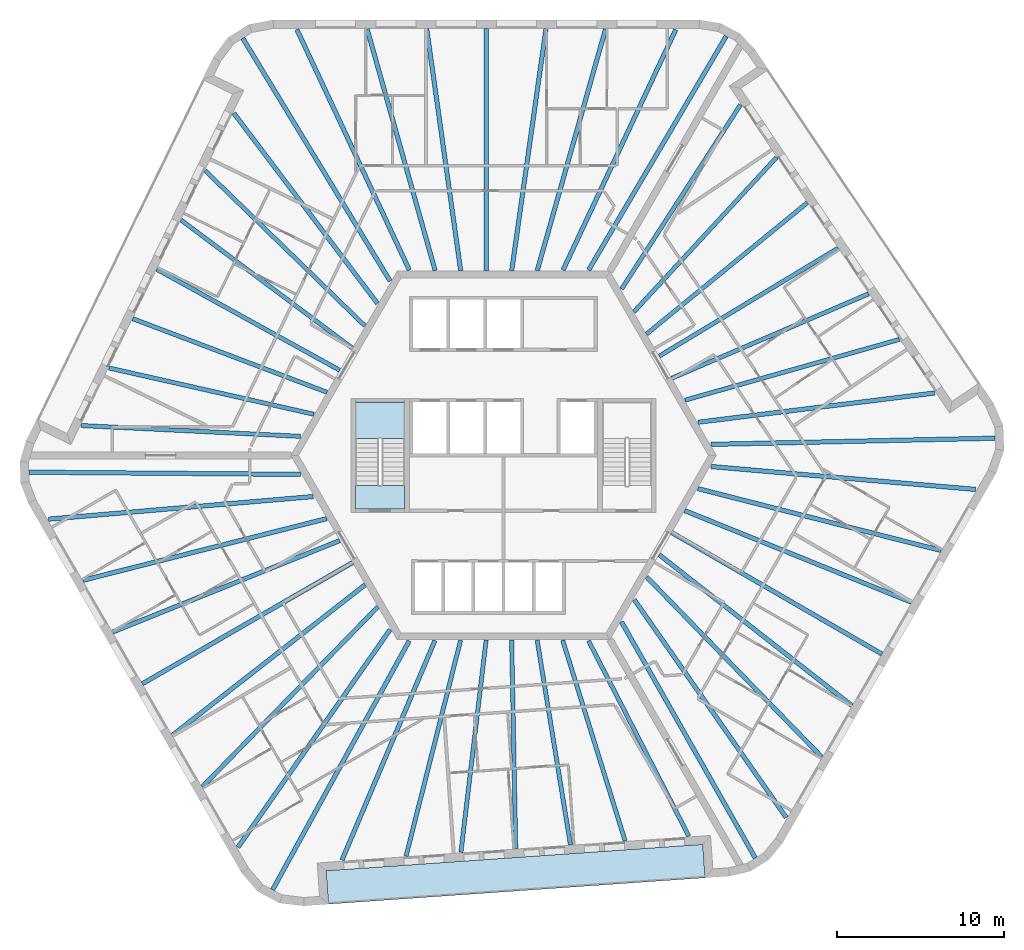
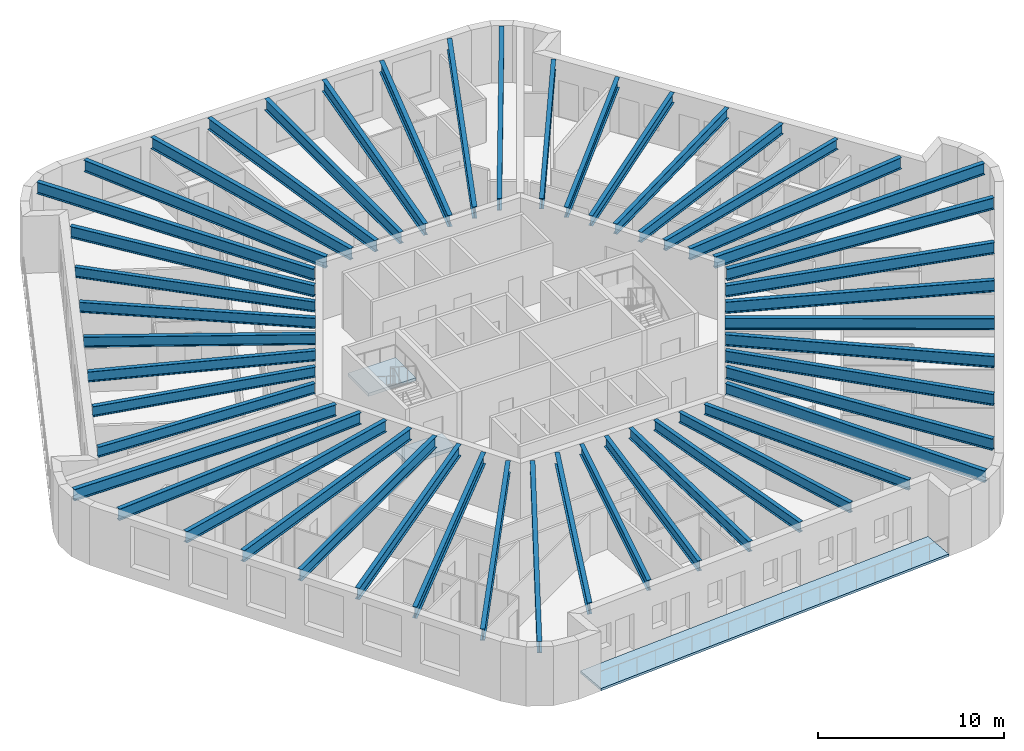
# One storey, part 1 of 12: 48 beams, 3 slabs, 1 element without a shape of its own.
"""IFC4 building model written with IfcOpenShell, lengths in metres."""

from ifc_helpers import new_model, si_unit, direction, frame, origin, origin_2d, place, context, subcontext, project, spatial, polyline, i_section, outline, extrude, material, layer, layer_set, material_profile, profile_set, type_object, element, aggregate, save


model = new_model("IFC4")

# Units and contexts
model_context = context("Model", 3, precision=1e-05, world=origin(), true_north=direction((0.0, 1.0)))
body_context = subcontext(model_context, "Body", "Model", "MODEL_VIEW")
ifc_project = project(units=[si_unit("LENGTHUNIT", "METRE"), si_unit("AREAUNIT", "SQUARE_METRE"), si_unit("VOLUMEUNIT", "CUBIC_METRE"), si_unit("PLANEANGLEUNIT", "RADIAN"), si_unit("MASSUNIT", "GRAM", prefix="KILO")], contexts=[model_context])

# Site, building, storey
site_placement = place(None, origin())
site = spatial("IfcSite", under=ifc_project, at=site_placement, CompositionType="ELEMENT")
building_placement = place(site_placement, origin())
building = spatial("IfcBuilding", under=site, at=building_placement, Name="Tarnside Tower", CompositionType="ELEMENT")
storey_placement = place(building_placement, frame((0.0, 0.0, 264.0)))
storey = spatial("IfcBuildingStorey", under=building, at=storey_placement, Name="L63", CompositionType="ELEMENT", Elevation=264.0)

# Beams
ifc_material_1 = material(Name="Steel S355", Category="steel")
ifc_material_profile_1 = material_profile(ifc_material_1, i_section(OverallWidth=0.2529296875, OverallDepth=0.677978515625, WebThickness=0.01171875, FlangeThickness=0.01611328125, FilletRadius=0.01513671875, at=origin_2d()), Name="UB 686x254x125")
ifc_profile_set_1 = profile_set([ifc_material_profile_1], Name="Steel S355")
beam_type_1 = type_object("IfcBeamType", Name="Floor beam UB 686x254x125", PredefinedType="BEAM", material=ifc_profile_set_1)
beam_1_placement = place(storey_placement, frame((-17.811279296875, 17.002197265625, 3.4111328125), z_axis=(0.717190986424, -0.696876666988, 0.0), x_axis=(0.696876666988, 0.717190986424, 0.0)))
element("IfcBeam", 1, at=beam_1_placement, inside=storey, type_object=beam_type_1, Name="Floor beam F2.02", PredefinedType="BEAM", context=body_context, shape_type="SweptSolid", body=[
    extrude(i_section(OverallWidth=0.2529296875, OverallDepth=0.677978515625, WebThickness=0.01171875, FlangeThickness=0.01611328125, FilletRadius=0.01513671875, at=origin_2d()), origin(), (0.0, 0.0, 1.0), 13.2919921875),
])
beam_2_placement = place(storey_placement, frame((-19.25, 14.0498046875, 3.4111328125), z_axis=(0.801006417676, -0.598655759883, 0.0), x_axis=(0.598655759883, 0.801006417676, 0.0)))
element("IfcBeam", 2, at=beam_2_placement, inside=storey, type_object=beam_type_1, Name="Floor beam F2.03", PredefinedType="BEAM", context=body_context, shape_type="SweptSolid", body=[
    extrude(i_section(OverallWidth=0.2529296875, OverallDepth=0.677978515625, WebThickness=0.01171875, FlangeThickness=0.01611328125, FilletRadius=0.01513671875, at=origin_2d()), origin(), (0.0, 0.0, 1.0), 12.764892578125),
])
beam_3_placement = place(storey_placement, frame((-20.70458984375, 11.111572265625, 3.4111328125), z_axis=(0.875666768762, -0.482915841619, 0.0), x_axis=(0.482915841619, 0.875666768762, 0.0)))
element("IfcBeam", 3, at=beam_3_placement, inside=storey, type_object=beam_type_1, Name="Floor beam F2.04", PredefinedType="BEAM", context=body_context, shape_type="SweptSolid", body=[
    extrude(i_section(OverallWidth=0.2529296875, OverallDepth=0.677978515625, WebThickness=0.01171875, FlangeThickness=0.01611328125, FilletRadius=0.01513671875, at=origin_2d()), origin(), (0.0, 0.0, 1.0), 12.468994140625),
])
beam_4_placement = place(storey_placement, frame((-22.141357421875, 8.165771484375, 3.4111328125), z_axis=(0.935116350489, -0.354340811998, 0.0), x_axis=(0.354340811998, 0.935116350489, 0.0)))
element("IfcBeam", 4, at=beam_4_placement, inside=storey, type_object=beam_type_1, Name="Floor beam F2.05", PredefinedType="BEAM", context=body_context, shape_type="SweptSolid", body=[
    extrude(i_section(OverallWidth=0.2529296875, OverallDepth=0.677978515625, WebThickness=0.01171875, FlangeThickness=0.01611328125, FilletRadius=0.01513671875, at=origin_2d()), origin(), (0.0, 0.0, 1.0), 12.399169921875),
])
beam_5_placement = place(storey_placement, frame((-23.556884765625, 5.2197265625, 3.4111328125), z_axis=(0.975445185376, -0.220242344534, 0.0), x_axis=(0.220242344534, 0.975445185376, 0.0)))
element("IfcBeam", 5, at=beam_5_placement, inside=storey, type_object=beam_type_1, Name="Floor beam F2.06", PredefinedType="BEAM", context=body_context, shape_type="SweptSolid", body=[
    extrude(i_section(OverallWidth=0.2529296875, OverallDepth=0.677978515625, WebThickness=0.01171875, FlangeThickness=0.01611328125, FilletRadius=0.01513671875, at=origin_2d()), origin(), (0.0, 0.0, 1.0), 12.538330078125),
])
beam_6_placement = place(storey_placement, frame((-25.214599609375, 1.7841796875, 3.4111328125), z_axis=(0.998783137237, -0.049317793651, 0.0), x_axis=(0.049317793651, 0.998783137237, 0.0)))
element("IfcBeam", 6, at=beam_6_placement, inside=storey, type_object=beam_type_1, Name="Floor beam F2.07", PredefinedType="BEAM", context=body_context, shape_type="SweptSolid", body=[
    extrude(i_section(OverallWidth=0.2529296875, OverallDepth=0.677978515625, WebThickness=0.01171875, FlangeThickness=0.01611328125, FilletRadius=0.01513671875, at=origin_2d()), origin(), (0.0, 0.0, 1.0), 13.103515625),
])
beam_7_placement = place(storey_placement, frame((-5.818603515625, -23.92626953125, 3.4111328125), z_axis=(0.244907502604, 0.969546448175, 0.0), x_axis=(-0.969546448175, 0.244907502604, 0.0)))
element("IfcBeam", 7, at=beam_7_placement, inside=storey, type_object=beam_type_1, Name="Floor beam F4.02", PredefinedType="BEAM", context=body_context, shape_type="SweptSolid", body=[
    extrude(i_section(OverallWidth=0.2529296875, OverallDepth=0.677978515625, WebThickness=0.01171875, FlangeThickness=0.01611328125, FilletRadius=0.01513671875, at=origin_2d()), origin(), (0.0, 0.0, 1.0), 13.292236328125),
])
beam_8_placement = place(storey_placement, frame((-2.54248046875, -23.69580078125, 3.4111328125), z_axis=(0.117949762105, 0.993019563563, 0.0), x_axis=(-0.993019563563, 0.117949762105, 0.0)))
element("IfcBeam", 8, at=beam_8_placement, inside=storey, type_object=beam_type_1, Name="Floor beam F4.03", PredefinedType="BEAM", context=body_context, shape_type="SweptSolid", body=[
    extrude(i_section(OverallWidth=0.2529296875, OverallDepth=0.677978515625, WebThickness=0.01171875, FlangeThickness=0.01611328125, FilletRadius=0.01513671875, at=origin_2d()), origin(), (0.0, 0.0, 1.0), 12.764892578125),
])
beam_9_placement = place(storey_placement, frame((0.7294921875, -23.486328125, 3.4111328125), z_axis=(-0.019619426101, 0.999807520536, 0.0), x_axis=(-0.999807520536, -0.019619426101, 0.0)))
element("IfcBeam", 9, at=beam_9_placement, inside=storey, type_object=beam_type_1, Name="Floor beam F4.04", PredefinedType="BEAM", context=body_context, shape_type="SweptSolid", body=[
    extrude(i_section(OverallWidth=0.2529296875, OverallDepth=0.677978515625, WebThickness=0.01171875, FlangeThickness=0.01611328125, FilletRadius=0.01513671875, at=origin_2d()), origin(), (0.0, 0.0, 1.0), 12.46875),
])
beam_10_placement = place(storey_placement, frame((3.9990234375, -23.2578125, 3.4111328125), z_axis=(-0.160690769029, 0.987004800773, 0.0), x_axis=(-0.987004800773, -0.160690769029, 0.0)))
element("IfcBeam", 10, at=beam_10_placement, inside=storey, type_object=beam_type_1, Name="Floor beam F4.05", PredefinedType="BEAM", context=body_context, shape_type="SweptSolid", body=[
    extrude(i_section(OverallWidth=0.2529296875, OverallDepth=0.677978515625, WebThickness=0.01171875, FlangeThickness=0.01611328125, FilletRadius=0.01513671875, at=origin_2d()), origin(), (0.0, 0.0, 1.0), 12.399169921875),
])
beam_11_placement = place(storey_placement, frame((7.258056640625, -23.0107421875, 3.4111328125), z_axis=(-0.296997512057, 0.954878252885, 0.0), x_axis=(-0.954878252885, -0.296997512057, 0.0)))
element("IfcBeam", 11, at=beam_11_placement, inside=storey, type_object=beam_type_1, Name="Floor beam F4.06", PredefinedType="BEAM", context=body_context, shape_type="SweptSolid", body=[
    extrude(i_section(OverallWidth=0.2529296875, OverallDepth=0.677978515625, WebThickness=0.01171875, FlangeThickness=0.01611328125, FilletRadius=0.01513671875, at=origin_2d()), origin(), (0.0, 0.0, 1.0), 12.538330078125),
])
beam_12_placement = place(storey_placement, frame((11.06201171875, -22.728515625, 3.4111328125), z_axis=(-0.456683143477, 0.889629420862, 0.0), x_axis=(-0.889629420862, -0.456683143477, 0.0)))
element("IfcBeam", 12, at=beam_12_placement, inside=storey, type_object=beam_type_1, Name="Floor beam F4.07", PredefinedType="BEAM", context=body_context, shape_type="SweptSolid", body=[
    extrude(i_section(OverallWidth=0.2529296875, OverallDepth=0.677978515625, WebThickness=0.01171875, FlangeThickness=0.01611328125, FilletRadius=0.01513671875, at=origin_2d()), origin(), (0.0, 0.0, 1.0), 13.103515625),
])
beam_13_placement = place(storey_placement, frame((23.6298828125, 6.924072265625, 3.4111328125), z_axis=(-0.962104001021, -0.272682766636, 0.0), x_axis=(0.272682766636, -0.962104001021, 0.0)))
element("IfcBeam", 13, at=beam_13_placement, inside=storey, type_object=beam_type_1, Name="Floor beam F6.02", PredefinedType="BEAM", context=body_context, shape_type="SweptSolid", body=[
    extrude(i_section(OverallWidth=0.2529296875, OverallDepth=0.677978515625, WebThickness=0.01171875, FlangeThickness=0.01611328125, FilletRadius=0.01513671875, at=origin_2d()), origin(), (0.0, 0.0, 1.0), 13.2919921875),
])
beam_14_placement = place(storey_placement, frame((21.792236328125, 9.64599609375, 3.4111328125), z_axis=(-0.918954980534, -0.394362452258, 0.0), x_axis=(0.394362452258, -0.918954980534, 0.0)))
element("IfcBeam", 14, at=beam_14_placement, inside=storey, type_object=beam_type_1, Name="Floor beam F6.03", PredefinedType="BEAM", context=body_context, shape_type="SweptSolid", body=[
    extrude(i_section(OverallWidth=0.2529296875, OverallDepth=0.677978515625, WebThickness=0.01171875, FlangeThickness=0.01611328125, FilletRadius=0.01513671875, at=origin_2d()), origin(), (0.0, 0.0, 1.0), 12.7646484375),
])
beam_15_placement = place(storey_placement, frame((19.97509765625, 12.375, 3.4111328125), z_axis=(-0.856046953876, -0.516898068055, 0.0), x_axis=(0.516898068055, -0.856046953876, 0.0)))
element("IfcBeam", 15, at=beam_15_placement, inside=storey, type_object=beam_type_1, Name="Floor beam F6.04", PredefinedType="BEAM", context=body_context, shape_type="SweptSolid", body=[
    extrude(i_section(OverallWidth=0.2529296875, OverallDepth=0.677978515625, WebThickness=0.01171875, FlangeThickness=0.01611328125, FilletRadius=0.01513671875, at=origin_2d()), origin(), (0.0, 0.0, 1.0), 12.46875),
])
beam_16_placement = place(storey_placement, frame((18.142333984375, 15.092041015625, 3.4111328125), z_axis=(-0.774438707576, -0.632648945473, 0.0), x_axis=(0.632648945473, -0.774438707576, 0.0)))
element("IfcBeam", 16, at=beam_16_placement, inside=storey, type_object=beam_type_1, Name="Floor beam F6.05", PredefinedType="BEAM", context=body_context, shape_type="SweptSolid", body=[
    extrude(i_section(OverallWidth=0.2529296875, OverallDepth=0.677978515625, WebThickness=0.01171875, FlangeThickness=0.01611328125, FilletRadius=0.01513671875, at=origin_2d()), origin(), (0.0, 0.0, 1.0), 12.39892578125),
])
beam_17_placement = place(storey_placement, frame((16.299072265625, 17.791015625, 3.4111328125), z_axis=(-0.67846123451, -0.734636204708, 0.0), x_axis=(0.734636204708, -0.67846123451, 0.0)))
element("IfcBeam", 17, at=beam_17_placement, inside=storey, type_object=beam_type_1, Name="Floor beam F6.06", PredefinedType="BEAM", context=body_context, shape_type="SweptSolid", body=[
    extrude(i_section(OverallWidth=0.2529296875, OverallDepth=0.677978515625, WebThickness=0.01171875, FlangeThickness=0.01611328125, FilletRadius=0.01513671875, at=origin_2d()), origin(), (0.0, 0.0, 1.0), 12.538330078125),
])
beam_18_placement = place(storey_placement, frame((14.152587890625, 20.9443359375, 3.4111328125), z_axis=(-0.54209970956, -0.840314170352, 0.0), x_axis=(0.840314170352, -0.54209970956, 0.0)))
element("IfcBeam", 18, at=beam_18_placement, inside=storey, type_object=beam_type_1, Name="Floor beam F6.07", PredefinedType="BEAM", context=body_context, shape_type="SweptSolid", body=[
    extrude(i_section(OverallWidth=0.2529296875, OverallDepth=0.677978515625, WebThickness=0.01171875, FlangeThickness=0.01611328125, FilletRadius=0.01513671875, at=origin_2d()), origin(), (0.0, 0.0, 1.0), 13.103759765625),
])
ifc_material_profile_2 = material_profile(ifc_material_1, i_section(OverallWidth=0.26513671875, OverallDepth=0.75390625, WebThickness=0.0126953125, FlangeThickness=0.017578125, FilletRadius=0.0166015625, at=origin_2d()), Name="UB 762x267x147")
ifc_profile_set_2 = profile_set([ifc_material_profile_2], Name="Steel S355")
beam_type_2 = type_object("IfcBeamType", Name="Floor beam UB 762x267x147", PredefinedType="BEAM", material=ifc_profile_set_2)
beam_19_placement = place(storey_placement, frame((6.093505859375, 25.46142578125, 3.373046875), z_axis=(-0.272147186115, -0.962255636039, 0.0), x_axis=(0.962255636039, -0.272147186115, 0.0)))
element("IfcBeam", 19, at=beam_19_placement, inside=storey, type_object=beam_type_2, Name="Floor beam F1.02", PredefinedType="BEAM", context=body_context, shape_type="SweptSolid", body=[
    extrude(i_section(OverallWidth=0.26513671875, OverallDepth=0.75390625, WebThickness=0.0126953125, FlangeThickness=0.017578125, FilletRadius=0.0166015625, at=origin_2d()), origin(), (0.0, 0.0, 1.0), 14.988525390625),
])
beam_20_placement = place(storey_placement, frame((2.537109375, 25.480224609375, 3.373046875), z_axis=(-0.140349428967, -0.990102034029, 0.0), x_axis=(0.990102034029, -0.140349428967, 0.0)))
element("IfcBeam", 20, at=beam_20_placement, inside=storey, type_object=beam_type_2, Name="Floor beam F1.03", PredefinedType="BEAM", context=body_context, shape_type="SweptSolid", body=[
    extrude(i_section(OverallWidth=0.26513671875, OverallDepth=0.75390625, WebThickness=0.0126953125, FlangeThickness=0.017578125, FilletRadius=0.0166015625, at=origin_2d()), origin(), (0.0, 0.0, 1.0), 14.60498046875),
])
beam_21_placement = place(storey_placement, frame((-1.02490234375, 25.5, 3.373046875), z_axis=(-0.000656653953, -0.999999784403, 0.0), x_axis=(0.999999784403, -0.000656653953, 0.0)))
element("IfcBeam", 21, at=beam_21_placement, inside=storey, type_object=beam_type_2, Name="Floor beam F1.04", PredefinedType="BEAM", context=body_context, shape_type="SweptSolid", body=[
    extrude(i_section(OverallWidth=0.26513671875, OverallDepth=0.75390625, WebThickness=0.0126953125, FlangeThickness=0.017578125, FilletRadius=0.0166015625, at=origin_2d()), origin(), (0.0, 0.0, 1.0), 14.5),
])
beam_22_placement = place(storey_placement, frame((-4.5869140625, 25.480224609375, 3.373046875), z_axis=(0.139070897001, -0.990282427193, 0.0), x_axis=(0.990282427193, 0.139070897001, 0.0)))
element("IfcBeam", 22, at=beam_22_placement, inside=storey, type_object=beam_type_2, Name="Floor beam F1.05", PredefinedType="BEAM", context=body_context, shape_type="SweptSolid", body=[
    extrude(i_section(OverallWidth=0.26513671875, OverallDepth=0.75390625, WebThickness=0.0126953125, FlangeThickness=0.017578125, FilletRadius=0.0166015625, at=origin_2d()), origin(), (0.0, 0.0, 1.0), 14.602294921875),
])
beam_23_placement = place(storey_placement, frame((-8.1435546875, 25.46142578125, 3.373046875), z_axis=(0.270985274434, -0.962583493023, 0.0), x_axis=(0.962583493023, 0.270985274434, 0.0)))
element("IfcBeam", 23, at=beam_23_placement, inside=storey, type_object=beam_type_2, Name="Floor beam F1.06", PredefinedType="BEAM", context=body_context, shape_type="SweptSolid", body=[
    extrude(i_section(OverallWidth=0.26513671875, OverallDepth=0.75390625, WebThickness=0.0126953125, FlangeThickness=0.017578125, FilletRadius=0.0166015625, at=origin_2d()), origin(), (0.0, 0.0, 1.0), 14.9833984375),
])
beam_24_placement = place(storey_placement, frame((-16.101318359375, 20.43212890625, 3.373046875), z_axis=(0.602566097863, -0.798068980543, 0.0), x_axis=(0.798068980543, 0.602566097863, 0.0)))
element("IfcBeam", 24, at=beam_24_placement, inside=storey, type_object=beam_type_2, Name="Floor beam F2.01", PredefinedType="BEAM", context=body_context, shape_type="SweptSolid", body=[
    extrude(i_section(OverallWidth=0.26513671875, OverallDepth=0.75390625, WebThickness=0.0126953125, FlangeThickness=0.017578125, FilletRadius=0.0166015625, at=origin_2d()), origin(), (0.0, 0.0, 1.0), 14.231201171875),
])
beam_25_placement = place(storey_placement, frame((-25.09716796875, -7.45361328125, 3.373046875), z_axis=(0.969413823687, 0.245431942592, 0.0), x_axis=(-0.245431942592, 0.969413823687, 0.0)))
element("IfcBeam", 25, at=beam_25_placement, inside=storey, type_object=beam_type_2, Name="Floor beam F3.02", PredefinedType="BEAM", context=body_context, shape_type="SweptSolid", body=[
    extrude(i_section(OverallWidth=0.26513671875, OverallDepth=0.75390625, WebThickness=0.0126953125, FlangeThickness=0.017578125, FilletRadius=0.0166015625, at=origin_2d()), origin(), (0.0, 0.0, 1.0), 14.98876953125),
])
beam_26_placement = place(storey_placement, frame((-23.3349609375, -10.54296875, 3.373046875), z_axis=(0.927625766949, 0.373510958998, 0.0), x_axis=(-0.373510958998, 0.927625766949, 0.0)))
element("IfcBeam", 26, at=beam_26_placement, inside=storey, type_object=beam_type_2, Name="Floor beam F3.03", PredefinedType="BEAM", context=body_context, shape_type="SweptSolid", body=[
    extrude(i_section(OverallWidth=0.26513671875, OverallDepth=0.75390625, WebThickness=0.0126953125, FlangeThickness=0.017578125, FilletRadius=0.0166015625, at=origin_2d()), origin(), (0.0, 0.0, 1.0), 14.60498046875),
])
beam_27_placement = place(storey_placement, frame((-21.5712890625, -13.6376953125, 3.373046875), z_axis=(0.866357363831, 0.499424587036, 0.0), x_axis=(-0.499424587036, 0.866357363831, 0.0)))
element("IfcBeam", 27, at=beam_27_placement, inside=storey, type_object=beam_type_2, Name="Floor beam F3.04", PredefinedType="BEAM", context=body_context, shape_type="SweptSolid", body=[
    extrude(i_section(OverallWidth=0.26513671875, OverallDepth=0.75390625, WebThickness=0.0126953125, FlangeThickness=0.017578125, FilletRadius=0.0166015625, at=origin_2d()), origin(), (0.0, 0.0, 1.0), 14.5),
])
beam_28_placement = place(storey_placement, frame((-19.77294921875, -16.71240234375, 3.373046875), z_axis=(0.788074813552, 0.615579473541, 0.0), x_axis=(-0.615579473541, 0.788074813552, 0.0)))
element("IfcBeam", 28, at=beam_28_placement, inside=storey, type_object=beam_type_2, Name="Floor beam F3.05", PredefinedType="BEAM", context=body_context, shape_type="SweptSolid", body=[
    extrude(i_section(OverallWidth=0.26513671875, OverallDepth=0.75390625, WebThickness=0.0126953125, FlangeThickness=0.017578125, FilletRadius=0.0166015625, at=origin_2d()), origin(), (0.0, 0.0, 1.0), 14.60205078125),
])
beam_29_placement = place(storey_placement, frame((-17.978515625, -19.783203125, 3.373046875), z_axis=(0.698129580508, 0.71597143017, 0.0), x_axis=(-0.71597143017, 0.698129580508, 0.0)))
element("IfcBeam", 29, at=beam_29_placement, inside=storey, type_object=beam_type_2, Name="Floor beam F3.06", PredefinedType="BEAM", context=body_context, shape_type="SweptSolid", body=[
    extrude(i_section(OverallWidth=0.26513671875, OverallDepth=0.75390625, WebThickness=0.0126953125, FlangeThickness=0.017578125, FilletRadius=0.0166015625, at=origin_2d()), origin(), (0.0, 0.0, 1.0), 14.983642578125),
])
beam_30_placement = place(storey_placement, frame((-9.64404296875, -24.160400390625, 3.373046875), z_axis=(0.389873911801, 0.920868249478, 0.0), x_axis=(-0.920868249478, 0.389873911801, 0.0)))
element("IfcBeam", 30, at=beam_30_placement, inside=storey, type_object=beam_type_2, Name="Floor beam F4.01", PredefinedType="BEAM", context=body_context, shape_type="SweptSolid", body=[
    extrude(i_section(OverallWidth=0.26513671875, OverallDepth=0.75390625, WebThickness=0.0126953125, FlangeThickness=0.017578125, FilletRadius=0.0166015625, at=origin_2d()), origin(), (0.0, 0.0, 1.0), 14.231201171875),
])
beam_31_placement = place(storey_placement, frame((19.00341796875, -18.008056640625, 3.373046875), z_axis=(-0.697249797022, 0.716828236437, 0.0), x_axis=(-0.716828236437, -0.697249797022, 0.0)))
element("IfcBeam", 31, at=beam_31_placement, inside=storey, type_object=beam_type_2, Name="Floor beam F5.02", PredefinedType="BEAM", context=body_context, shape_type="SweptSolid", body=[
    extrude(i_section(OverallWidth=0.26513671875, OverallDepth=0.75390625, WebThickness=0.0126953125, FlangeThickness=0.017578125, FilletRadius=0.0166015625, at=origin_2d()), origin(), (0.0, 0.0, 1.0), 14.98876953125),
])
beam_32_placement = place(storey_placement, frame((20.798095703125, -14.937255859375, 3.373046875), z_axis=(-0.787282014804, 0.616593082321, 0.0), x_axis=(-0.616593082321, -0.787282014804, 0.0)))
element("IfcBeam", 32, at=beam_32_placement, inside=storey, type_object=beam_type_2, Name="Floor beam F5.03", PredefinedType="BEAM", context=body_context, shape_type="SweptSolid", body=[
    extrude(i_section(OverallWidth=0.26513671875, OverallDepth=0.75390625, WebThickness=0.0126953125, FlangeThickness=0.017578125, FilletRadius=0.0166015625, at=origin_2d()), origin(), (0.0, 0.0, 1.0), 14.60498046875),
])
beam_33_placement = place(storey_placement, frame((22.59619140625, -11.8623046875, 3.373046875), z_axis=(-0.865697438889, 0.500567622106, 0.0), x_axis=(-0.500567622106, -0.865697438889, 0.0)))
element("IfcBeam", 33, at=beam_33_placement, inside=storey, type_object=beam_type_2, Name="Floor beam F5.04", PredefinedType="BEAM", context=body_context, shape_type="SweptSolid", body=[
    extrude(i_section(OverallWidth=0.26513671875, OverallDepth=0.75390625, WebThickness=0.0126953125, FlangeThickness=0.017578125, FilletRadius=0.0166015625, at=origin_2d()), origin(), (0.0, 0.0, 1.0), 14.500244140625),
])
beam_34_placement = place(storey_placement, frame((24.35986328125, -8.767578125, 3.373046875), z_axis=(-0.927145907531, 0.374700501933, 0.0), x_axis=(-0.374700501933, -0.927145907531, 0.0)))
element("IfcBeam", 34, at=beam_34_placement, inside=storey, type_object=beam_type_2, Name="Floor beam F5.05", PredefinedType="BEAM", context=body_context, shape_type="SweptSolid", body=[
    extrude(i_section(OverallWidth=0.26513671875, OverallDepth=0.75390625, WebThickness=0.0126953125, FlangeThickness=0.017578125, FilletRadius=0.0166015625, at=origin_2d()), origin(), (0.0, 0.0, 1.0), 14.60205078125),
])
beam_35_placement = place(storey_placement, frame((26.1220703125, -5.67822265625, 3.373046875), z_axis=(-0.969115089144, 0.246608888716, 0.0), x_axis=(-0.246608888716, -0.969115089144, 0.0)))
element("IfcBeam", 35, at=beam_35_placement, inside=storey, type_object=beam_type_2, Name="Floor beam F5.06", PredefinedType="BEAM", context=body_context, shape_type="SweptSolid", body=[
    extrude(i_section(OverallWidth=0.26513671875, OverallDepth=0.75390625, WebThickness=0.0126953125, FlangeThickness=0.017578125, FilletRadius=0.0166015625, at=origin_2d()), origin(), (0.0, 0.0, 1.0), 14.9833984375),
])
beam_36_placement = place(storey_placement, frame((25.745361328125, 3.72802734375, 3.373046875), z_axis=(-0.992433598491, -0.122782541866, 0.0), x_axis=(0.122782541866, -0.992433598491, 0.0)))
element("IfcBeam", 36, at=beam_36_placement, inside=storey, type_object=beam_type_2, Name="Floor beam F6.01", PredefinedType="BEAM", context=body_context, shape_type="SweptSolid", body=[
    extrude(i_section(OverallWidth=0.26513671875, OverallDepth=0.75390625, WebThickness=0.0126953125, FlangeThickness=0.017578125, FilletRadius=0.0166015625, at=origin_2d()), origin(), (0.0, 0.0, 1.0), 14.23095703125),
])
ifc_material_profile_3 = material_profile(ifc_material_1, i_section(OverallWidth=0.2666015625, OverallDepth=0.76220703125, WebThickness=0.014404296875, FlangeThickness=0.021484375, FilletRadius=0.0166015625, at=origin_2d()), Name="UB 762x267x173")
ifc_profile_set_3 = profile_set([ifc_material_profile_3], Name="Steel S355")
beam_type_3 = type_object("IfcBeamType", Name="Floor beam UB 762x267x173", PredefinedType="BEAM", material=ifc_profile_set_3)
beam_37_placement = place(storey_placement, frame((10.285400390625, 25.427490234375, 3.368896484375), z_axis=(-0.424439399801, -0.905456346765, 0.0), x_axis=(0.905456346765, -0.424439399801, 0.0)))
element("IfcBeam", 37, at=beam_37_placement, inside=storey, type_object=beam_type_3, Name="Floor beam F1.01", PredefinedType="BEAM", context=body_context, shape_type="SweptSolid", body=[
    extrude(i_section(OverallWidth=0.2666015625, OverallDepth=0.76220703125, WebThickness=0.014404296875, FlangeThickness=0.021484375, FilletRadius=0.0166015625, at=origin_2d()), origin(), (0.0, 0.0, 1.0), 15.853759765625),
])
beam_38_placement = place(storey_placement, frame((-12.335205078125, 25.427490234375, 3.368896484375), z_axis=(0.423453877267, -0.905917663934, 0.0), x_axis=(0.905917663934, 0.423453877267, 0.0)))
element("IfcBeam", 38, at=beam_38_placement, inside=storey, type_object=beam_type_3, Name="Floor beam F1.07", PredefinedType="BEAM", context=body_context, shape_type="SweptSolid", body=[
    extrude(i_section(OverallWidth=0.2666015625, OverallDepth=0.76220703125, WebThickness=0.014404296875, FlangeThickness=0.021484375, FilletRadius=0.0166015625, at=origin_2d()), origin(), (0.0, 0.0, 1.0), 15.845703125),
])
beam_39_placement = place(storey_placement, frame((-15.5703125, 24.91162109375, 3.368896484375), z_axis=(0.518716683755, -0.854946198304, 0.0), x_axis=(0.854946198304, 0.518716683755, 0.0)))
element("IfcBeam", 39, at=beam_39_placement, inside=storey, type_object=beam_type_3, Name="Floor beam C1", PredefinedType="BEAM", context=body_context, shape_type="SweptSolid", body=[
    extrude(i_section(OverallWidth=0.2666015625, OverallDepth=0.76220703125, WebThickness=0.014404296875, FlangeThickness=0.021484375, FilletRadius=0.0166015625, at=origin_2d()), origin(), (0.0, 0.0, 1.0), 16.961181640625),
])
beam_40_placement = place(storey_placement, frame((-28.3291015625, -1.0009765625, 3.368896484375), z_axis=(0.999966651082, -0.008166806173, 0.0), x_axis=(0.008166806173, 0.999966651082, 0.0)))
element("IfcBeam", 40, at=beam_40_placement, inside=storey, type_object=beam_type_3, Name="Floor beam C2", PredefinedType="BEAM", context=body_context, shape_type="SweptSolid", body=[
    extrude(i_section(OverallWidth=0.2666015625, OverallDepth=0.76220703125, WebThickness=0.014404296875, FlangeThickness=0.021484375, FilletRadius=0.0166015625, at=origin_2d()), origin(), (0.0, 0.0, 1.0), 16.20263671875),
])
beam_41_placement = place(storey_placement, frame((-27.16357421875, -3.806396484375, 3.368896484375), z_axis=(0.996367434748, 0.085158293626, 0.0), x_axis=(-0.085158293626, 0.996367434748, 0.0)))
element("IfcBeam", 41, at=beam_41_placement, inside=storey, type_object=beam_type_3, Name="Floor beam F3.01", PredefinedType="BEAM", context=body_context, shape_type="SweptSolid", body=[
    extrude(i_section(OverallWidth=0.2666015625, OverallDepth=0.76220703125, WebThickness=0.014404296875, FlangeThickness=0.021484375, FilletRadius=0.0166015625, at=origin_2d()), origin(), (0.0, 0.0, 1.0), 15.85400390625),
])
beam_42_placement = place(storey_placement, frame((-15.853271484375, -23.396484375, 3.368896484375), z_axis=(0.572816933654, 0.819683329414, 0.0), x_axis=(-0.819683329414, 0.572816933654, 0.0)))
element("IfcBeam", 42, at=beam_42_placement, inside=storey, type_object=beam_type_3, Name="Floor beam F3.07", PredefinedType="BEAM", context=body_context, shape_type="SweptSolid", body=[
    extrude(i_section(OverallWidth=0.2666015625, OverallDepth=0.76220703125, WebThickness=0.014404296875, FlangeThickness=0.021484375, FilletRadius=0.0166015625, at=origin_2d()), origin(), (0.0, 0.0, 1.0), 15.84619140625),
])
beam_43_placement = place(storey_placement, frame((-13.788818359375, -25.93994140625, 3.368896484375), z_axis=(0.481036073107, 0.876700802081, 0.0), x_axis=(-0.876700802081, 0.481036073107, 0.0)))
element("IfcBeam", 43, at=beam_43_placement, inside=storey, type_object=beam_type_3, Name="Floor beam C3", PredefinedType="BEAM", context=body_context, shape_type="SweptSolid", body=[
    extrude(i_section(OverallWidth=0.2666015625, OverallDepth=0.76220703125, WebThickness=0.014404296875, FlangeThickness=0.021484375, FilletRadius=0.0166015625, at=origin_2d()), origin(), (0.0, 0.0, 1.0), 16.961181640625),
])
beam_44_placement = place(storey_placement, frame((15.031494140625, -24.033447265625, 3.368896484375), z_axis=(-0.49290801997, 0.870081423689, 0.0), x_axis=(-0.870081423689, -0.49290801997, 0.0)))
element("IfcBeam", 44, at=beam_44_placement, inside=storey, type_object=beam_type_3, Name="Floor beam C4", PredefinedType="BEAM", context=body_context, shape_type="SweptSolid", body=[
    extrude(i_section(OverallWidth=0.2666015625, OverallDepth=0.76220703125, WebThickness=0.014404296875, FlangeThickness=0.021484375, FilletRadius=0.0166015625, at=origin_2d()), origin(), (0.0, 0.0, 1.0), 16.202880859375),
])
beam_45_placement = place(storey_placement, frame((16.87841796875, -21.62109375, 3.368896484375), z_axis=(-0.571946235641, 0.82029110902, 0.0), x_axis=(-0.82029110902, -0.571946235641, 0.0)))
element("IfcBeam", 45, at=beam_45_placement, inside=storey, type_object=beam_type_3, Name="Floor beam F5.01", PredefinedType="BEAM", context=body_context, shape_type="SweptSolid", body=[
    extrude(i_section(OverallWidth=0.2666015625, OverallDepth=0.76220703125, WebThickness=0.014404296875, FlangeThickness=0.021484375, FilletRadius=0.0166015625, at=origin_2d()), origin(), (0.0, 0.0, 1.0), 15.85400390625),
])
beam_46_placement = place(storey_placement, frame((28.1884765625, -2.03125, 3.368896484375), z_axis=(-0.996273584651, 0.086249316098, 0.0), x_axis=(-0.086249316098, -0.996273584651, 0.0)))
element("IfcBeam", 46, at=beam_46_placement, inside=storey, type_object=beam_type_3, Name="Floor beam F5.07", PredefinedType="BEAM", context=body_context, shape_type="SweptSolid", body=[
    extrude(i_section(OverallWidth=0.2666015625, OverallDepth=0.76220703125, WebThickness=0.014404296875, FlangeThickness=0.021484375, FilletRadius=0.0166015625, at=origin_2d()), origin(), (0.0, 0.0, 1.0), 15.845947265625),
])
beam_47_placement = place(storey_placement, frame((29.359130859375, 1.028564453125, 3.368896484375), z_axis=(-0.999763142455, -0.02176370807, 0.0), x_axis=(0.02176370807, -0.999763142455, 0.0)))
element("IfcBeam", 47, at=beam_47_placement, inside=storey, type_object=beam_type_3, Name="Floor beam C5", PredefinedType="BEAM", context=body_context, shape_type="SweptSolid", body=[
    extrude(i_section(OverallWidth=0.2666015625, OverallDepth=0.76220703125, WebThickness=0.014404296875, FlangeThickness=0.021484375, FilletRadius=0.0166015625, at=origin_2d()), origin(), (0.0, 0.0, 1.0), 16.961181640625),
])
beam_48_placement = place(storey_placement, frame((13.2978515625, 25.0341796875, 3.368896484375), z_axis=(-0.507080048325, -0.861898964259, 0.0), x_axis=(0.861898964259, -0.507080048325, 0.0)))
element("IfcBeam", 48, at=beam_48_placement, inside=storey, type_object=beam_type_3, Name="Floor beam C6", PredefinedType="BEAM", context=body_context, shape_type="SweptSolid", body=[
    extrude(i_section(OverallWidth=0.2666015625, OverallDepth=0.76220703125, WebThickness=0.014404296875, FlangeThickness=0.021484375, FilletRadius=0.0166015625, at=origin_2d()), origin(), (0.0, 0.0, 1.0), 16.20263671875),
])

# Slabs
ifc_material_2 = material(Name="Concrete C40/50", Category="concrete")
ifc_layer_1 = layer(ifc_material_2, 0.25)
ifc_layer_set_1 = layer_set([ifc_layer_1], Name="Core slab C40/50")
slab_type_1 = type_object("IfcSlabType", Name="Core slab C40/50", PredefinedType="FLOOR", material=ifc_layer_set_1)
slab_1_placement = place(storey_placement, frame((0.0, 0.0, -0.25)))
element("IfcSlab", 49, at=slab_1_placement, inside=storey, type_object=slab_type_1, Name="L63 core floor slab 2", PredefinedType="FLOOR", context=body_context, shape_type="SweptSolid", body=[
    extrude(outline(polyline([(-8.85009765625, -3.199951171875), (-8.85009765625, -1.800048828125), (-5.89990234375, -1.800048828125), (-5.89990234375, -3.199951171875), (-8.85009765625, -3.199951171875)])), origin(), (0.0, 0.0, 1.0), 0.25),
])
ifc_material_3 = material(Name="Timber decking", Category="wood")
ifc_layer_2 = layer(ifc_material_3, 0.0400390625)
ifc_material_4 = material(Name="Concrete C60/75 precast", Category="concrete")
ifc_layer_3 = layer(ifc_material_4, 0.110107421875)
ifc_layer_set_2 = layer_set([ifc_layer_2, ifc_layer_3], Name="Loggia deck 150")
slab_type_2 = type_object("IfcSlabType", Name="Loggia deck 150", PredefinedType="FLOOR", material=ifc_layer_set_2)
slab_2_placement = place(storey_placement, frame((0.0, 0.0, -0.14990234375)))
element("IfcSlab", 50, at=slab_2_placement, inside=storey, type_object=slab_type_2, Name="Loggia deck L63 F4", PredefinedType="FLOOR", context=body_context, shape_type="SweptSolid", body=[
    extrude(outline(polyline([(-10.593017578125, -24.79931640625), (11.896728515625, -23.226806640625), (12.036376953125, -25.221923828125), (-10.45361328125, -26.79443359375), (-10.593017578125, -24.79931640625)])), origin(), (0.0, 0.0, 1.0), 0.14990234375),
])

# Stair, slab
stair_type = type_object("IfcStairType", Name="Exit stair 1400 clear", PredefinedType="HALF_TURN_STAIR", material=ifc_material_2)
stair_placement = place(storey_placement, origin())
stair = element("IfcStair", 51, at=stair_placement, inside=storey, type_object=stair_type, Name="L63 Exit stair 2", PredefinedType="HALF_TURN_STAIR")
ifc_layer_4 = layer(ifc_material_2, 0.199951171875)
ifc_layer_set_3 = layer_set([ifc_layer_4], Name="Stair landing 200 C40/50")
slab_type_3 = type_object("IfcSlabType", Name="Stair landing 200 C40/50", PredefinedType="LANDING", material=ifc_layer_set_3)
slab_3_placement = place(storey_placement, frame((0.0, 0.0, 1.75)))
slab_3 = element("IfcSlab", 52, at=slab_3_placement, type_object=slab_type_3, Name="ST2 landing 1", PredefinedType="LANDING", context=body_context, shape_type="SweptSolid", body=[
    extrude(outline(polyline([(-5.89990234375, 1.0), (-5.89990234375, 3.199951171875), (-8.85009765625, 3.199951171875), (-8.85009765625, 1.0), (-5.89990234375, 1.0)])), origin(), (0.0, 0.0, 1.0), 0.199951171875),
])
aggregate(stair, [slab_3])

save(model, "model.ifc")
